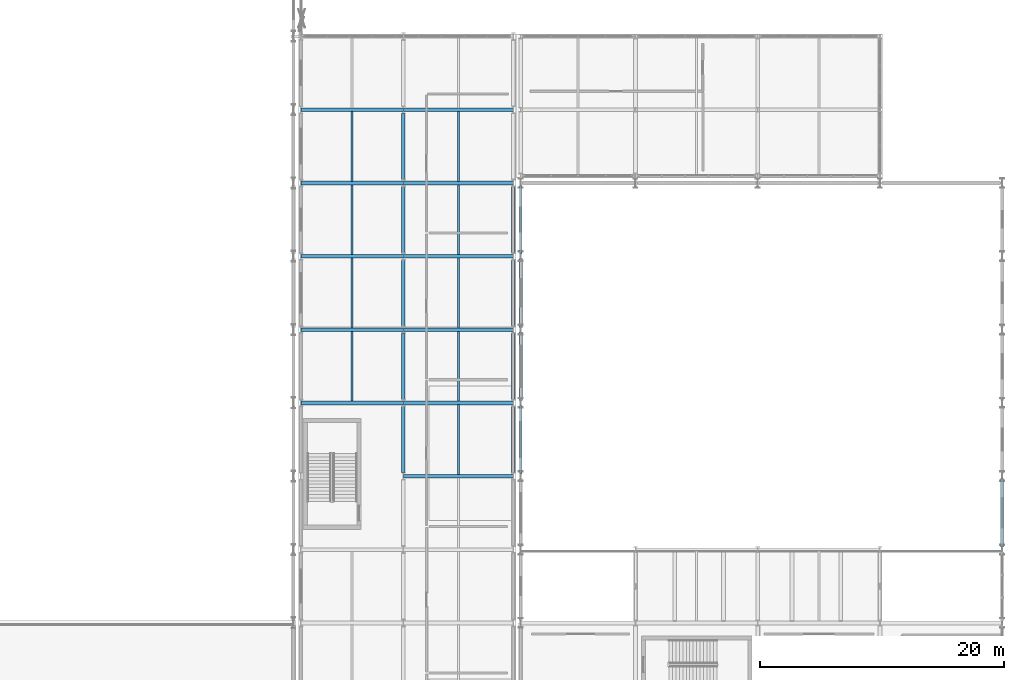
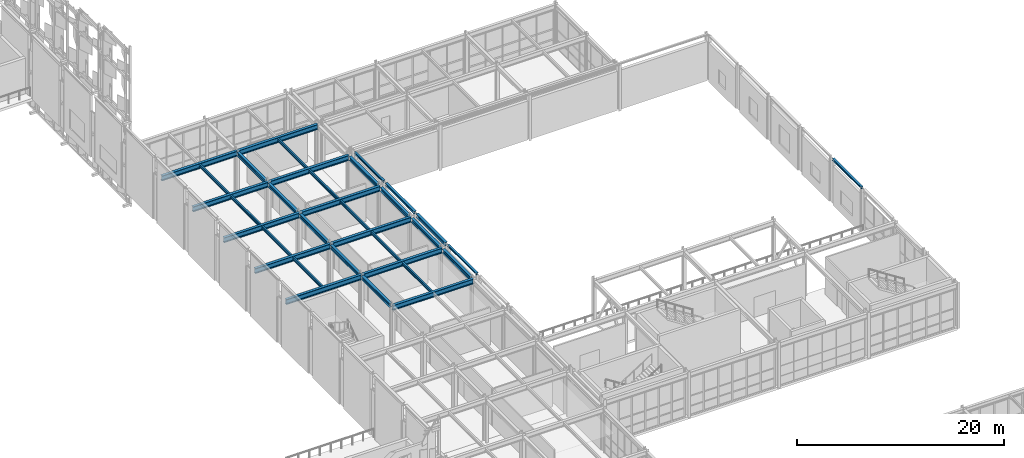
# One storey, part 118 of 210: 34 beams.
"""IFC4 building model written with IfcOpenShell, lengths in metres."""

from ifc_helpers import new_model, si_unit, direction, frame, origin, origin_2d, place, context, subcontext, project, spatial, i_section, extrude, material, material_profile, profile_set, type_object, element, save


model = new_model("IFC4")

# Units and contexts
model_context = context("Model", 3, precision=1e-05, world=origin(), true_north=direction((0.0, 1.0)))
body_context = subcontext(model_context, "Body", "Model", "MODEL_VIEW")
ifc_project = project(units=[si_unit("LENGTHUNIT", "METRE"), si_unit("AREAUNIT", "SQUARE_METRE"), si_unit("VOLUMEUNIT", "CUBIC_METRE"), si_unit("PLANEANGLEUNIT", "RADIAN"), si_unit("MASSUNIT", "GRAM", prefix="KILO")], contexts=[model_context])

# Site, building, storey
site_placement = place(None, origin())
site = spatial("IfcSite", under=ifc_project, at=site_placement, CompositionType="ELEMENT")
building_placement = place(site_placement, origin())
building = spatial("IfcBuilding", under=site, at=building_placement, Name="Kaldris Quays Convention Centre", CompositionType="ELEMENT")
storey_placement = place(building_placement, frame((0.0, 0.0, 6.0)))
storey = spatial("IfcBuildingStorey", under=building, at=storey_placement, Name="L01", CompositionType="ELEMENT", Elevation=6.0)

# Beams
ifc_material = material(Name="Steel S355J2", Category="steel")
ifc_material_profile_1 = material_profile(ifc_material, i_section(OverallWidth=0.300048828125, OverallDepth=0.60009765625, WebThickness=0.015380859375, FlangeThickness=0.030029296875, FilletRadius=0.027099609375, at=origin_2d()), Name="HEB 600")
ifc_profile_set_1 = profile_set([ifc_material_profile_1], Name="Steel S355J2")
beam_type_1 = type_object("IfcBeamType", Name="STRUCTURAL BEAM BM05", PredefinedType="BEAM", material=ifc_profile_set_1)
beam_1_placement = place(storey_placement, frame((155.001708984375, 80.0, 4.843017578125), z_axis=(1.0, 0.0, 0.0), x_axis=(0.0, 1.0, 0.0)))
element("IfcBeam", 1, at=beam_1_placement, inside=storey, type_object=beam_type_1, Name="L01 Girder BM05 34", PredefinedType="BEAM", context=body_context, shape_type="SweptSolid", body=[
    extrude(i_section(OverallWidth=0.300048828125, OverallDepth=0.60009765625, WebThickness=0.015380859375, FlangeThickness=0.030029296875, FilletRadius=0.027099609375, at=origin_2d()), origin(), (0.0, 0.0, 1.0), 8.99658203125),
])
beam_2_placement = place(storey_placement, frame((146.601806640625, 86.0, 4.843017578125), z_axis=(1.0, 0.0, 0.0), x_axis=(0.0, 1.0, 0.0)))
element("IfcBeam", 2, at=beam_2_placement, inside=storey, type_object=beam_type_1, Name="L01 Girder BM05 35", PredefinedType="BEAM", context=body_context, shape_type="SweptSolid", body=[
    extrude(i_section(OverallWidth=0.300048828125, OverallDepth=0.60009765625, WebThickness=0.015380859375, FlangeThickness=0.030029296875, FilletRadius=0.027099609375, at=origin_2d()), origin(), (0.0, 0.0, 1.0), 8.396484375),
])
beam_3_placement = place(storey_placement, frame((155.001708984375, 86.0, 4.843017578125), z_axis=(1.0, 0.0, 0.0), x_axis=(0.0, 1.0, 0.0)))
element("IfcBeam", 3, at=beam_3_placement, inside=storey, type_object=beam_type_1, Name="L01 Girder BM05 36", PredefinedType="BEAM", context=body_context, shape_type="SweptSolid", body=[
    extrude(i_section(OverallWidth=0.300048828125, OverallDepth=0.60009765625, WebThickness=0.015380859375, FlangeThickness=0.030029296875, FilletRadius=0.027099609375, at=origin_2d()), origin(), (0.0, 0.0, 1.0), 8.99658203125),
])
beam_4_placement = place(storey_placement, frame((146.601806640625, 92.0, 4.843017578125), z_axis=(1.0, 0.0, 0.0), x_axis=(0.0, 1.0, 0.0)))
element("IfcBeam", 4, at=beam_4_placement, inside=storey, type_object=beam_type_1, Name="L01 Girder BM05 37", PredefinedType="BEAM", context=body_context, shape_type="SweptSolid", body=[
    extrude(i_section(OverallWidth=0.300048828125, OverallDepth=0.60009765625, WebThickness=0.015380859375, FlangeThickness=0.030029296875, FilletRadius=0.027099609375, at=origin_2d()), origin(), (0.0, 0.0, 1.0), 8.396484375),
])
beam_5_placement = place(storey_placement, frame((155.001708984375, 92.0, 4.843017578125), z_axis=(1.0, 0.0, 0.0), x_axis=(0.0, 1.0, 0.0)))
element("IfcBeam", 5, at=beam_5_placement, inside=storey, type_object=beam_type_1, Name="L01 Girder BM05 38", PredefinedType="BEAM", context=body_context, shape_type="SweptSolid", body=[
    extrude(i_section(OverallWidth=0.300048828125, OverallDepth=0.60009765625, WebThickness=0.015380859375, FlangeThickness=0.030029296875, FilletRadius=0.027099609375, at=origin_2d()), origin(), (0.0, 0.0, 1.0), 8.99658203125),
])
beam_6_placement = place(storey_placement, frame((146.601806640625, 98.0, 4.843017578125), z_axis=(1.0, 0.0, 0.0), x_axis=(0.0, 1.0, 0.0)))
element("IfcBeam", 6, at=beam_6_placement, inside=storey, type_object=beam_type_1, Name="L01 Girder BM05 39", PredefinedType="BEAM", context=body_context, shape_type="SweptSolid", body=[
    extrude(i_section(OverallWidth=0.300048828125, OverallDepth=0.60009765625, WebThickness=0.015380859375, FlangeThickness=0.030029296875, FilletRadius=0.027099609375, at=origin_2d()), origin(), (0.0, 0.0, 1.0), 8.396484375),
])
beam_7_placement = place(storey_placement, frame((155.001708984375, 98.0, 4.843017578125), z_axis=(1.0, 0.0, 0.0), x_axis=(0.0, 1.0, 0.0)))
element("IfcBeam", 7, at=beam_7_placement, inside=storey, type_object=beam_type_1, Name="L01 Girder BM05 40", PredefinedType="BEAM", context=body_context, shape_type="SweptSolid", body=[
    extrude(i_section(OverallWidth=0.300048828125, OverallDepth=0.60009765625, WebThickness=0.015380859375, FlangeThickness=0.030029296875, FilletRadius=0.027099609375, at=origin_2d()), origin(), (0.0, 0.0, 1.0), 8.99658203125),
])
beam_8_placement = place(storey_placement, frame((146.601806640625, 104.0, 4.843017578125), z_axis=(1.0, 0.0, 0.0), x_axis=(0.0, 1.0, 0.0)))
element("IfcBeam", 8, at=beam_8_placement, inside=storey, type_object=beam_type_1, Name="L01 Girder BM05 41", PredefinedType="BEAM", context=body_context, shape_type="SweptSolid", body=[
    extrude(i_section(OverallWidth=0.300048828125, OverallDepth=0.60009765625, WebThickness=0.015380859375, FlangeThickness=0.030029296875, FilletRadius=0.027099609375, at=origin_2d()), origin(), (0.0, 0.0, 1.0), 8.396484375),
])
beam_9_placement = place(storey_placement, frame((155.001708984375, 104.0, 4.843017578125), z_axis=(1.0, 0.0, 0.0), x_axis=(0.0, 1.0, 0.0)))
element("IfcBeam", 9, at=beam_9_placement, inside=storey, type_object=beam_type_1, Name="L01 Girder BM05 42", PredefinedType="BEAM", context=body_context, shape_type="SweptSolid", body=[
    extrude(i_section(OverallWidth=0.300048828125, OverallDepth=0.60009765625, WebThickness=0.015380859375, FlangeThickness=0.030029296875, FilletRadius=0.027099609375, at=origin_2d()), origin(), (0.0, 0.0, 1.0), 8.99658203125),
])
beam_10_placement = place(storey_placement, frame((146.601806640625, 110.0, 4.843017578125), z_axis=(1.0, 0.0, 0.0), x_axis=(0.0, 1.0, 0.0)))
element("IfcBeam", 10, at=beam_10_placement, inside=storey, type_object=beam_type_1, Name="L01 Girder BM05 46", PredefinedType="BEAM", context=body_context, shape_type="SweptSolid", body=[
    extrude(i_section(OverallWidth=0.300048828125, OverallDepth=0.60009765625, WebThickness=0.015380859375, FlangeThickness=0.030029296875, FilletRadius=0.027099609375, at=origin_2d()), origin(), (0.0, 0.0, 1.0), 8.396484375),
])
beam_11_placement = place(storey_placement, frame((155.001708984375, 110.0, 4.843017578125), z_axis=(1.0, 0.0, 0.0), x_axis=(0.0, 1.0, 0.0)))
element("IfcBeam", 11, at=beam_11_placement, inside=storey, type_object=beam_type_1, Name="L01 Girder BM05 47", PredefinedType="BEAM", context=body_context, shape_type="SweptSolid", body=[
    extrude(i_section(OverallWidth=0.300048828125, OverallDepth=0.60009765625, WebThickness=0.015380859375, FlangeThickness=0.030029296875, FilletRadius=0.027099609375, at=origin_2d()), origin(), (0.0, 0.0, 1.0), 8.99658203125),
])
ifc_material_profile_2 = material_profile(ifc_material, i_section(OverallWidth=0.300048828125, OverallDepth=0.449951171875, WebThickness=0.013916015625, FlangeThickness=0.02587890625, FilletRadius=0.027099609375, at=origin_2d()), Name="HEB 450")
ifc_profile_set_2 = profile_set([ifc_material_profile_2], Name="Steel S355J2")
beam_type_2 = type_object("IfcBeamType", Name="STRUCTURAL BEAM BM07", PredefinedType="BEAM", material=ifc_profile_set_2)
for number, where, z_axis, x_axis, name in (
    (12, (155.0, 80.2939453125, 4.91796875), (0.0, 1.0, 0.0), (-1.0, 0.0, 0.0), "L01 Girder BM07 84"),
    (13, (155.0, 86.2939453125, 4.91796875), (0.0, 1.0, 0.0), (-1.0, 0.0, 0.0), "L01 Girder BM07 85"),
    (14, (155.0, 92.2939453125, 4.91796875), (0.0, 1.0, 0.0), (-1.0, 0.0, 0.0), "L01 Girder BM07 86"),
    (15, (155.0, 98.2939453125, 4.91796875), (0.0, 1.0, 0.0), (-1.0, 0.0, 0.0), "L01 Girder BM07 87"),
    (16, (155.0, 104.2939453125, 4.91796875), (0.0, 1.0, 0.0), (-1.0, 0.0, 0.0), "L01 Girder BM07 88"),
    (17, (164.0, 80.2939453125, 4.91796875), (0.0, 1.0, 0.0), (-1.0, 0.0, 0.0), "L01 Girder BM07 96"),
    (18, (164.0, 86.2939453125, 4.91796875), (0.0, 1.0, 0.0), (-1.0, 0.0, 0.0), "L01 Girder BM07 97"),
    (19, (164.0, 92.2939453125, 4.91796875), (0.0, 1.0, 0.0), (-1.0, 0.0, 0.0), "L01 Girder BM07 98"),
    (20, (164.0, 98.2939453125, 4.91796875), (0.0, 1.0, 0.0), (-1.0, 0.0, 0.0), "L01 Girder BM07 99"),
):
    element("IfcBeam", number, at=place(storey_placement, frame(where, z_axis=z_axis, x_axis=x_axis)), inside=storey, type_object=beam_type_2, Name=name, PredefinedType="BEAM", context=body_context, shape_type="SweptSolid", body=[
        extrude(i_section(OverallWidth=0.300048828125, OverallDepth=0.449951171875, WebThickness=0.013916015625, FlangeThickness=0.02587890625, FilletRadius=0.027099609375, at=origin_2d()), origin(), (0.0, 0.0, 1.0), 5.412109375),
    ])
ifc_material_profile_3 = material_profile(ifc_material, i_section(OverallWidth=0.169921875, OverallDepth=0.360107421875, WebThickness=0.008056640625, FlangeThickness=0.0126953125, FilletRadius=0.01806640625, at=origin_2d()), Name="IPE 360")
ifc_profile_set_3 = profile_set([ifc_material_profile_3], Name="Steel S355J2")
beam_type_3 = type_object("IfcBeamType", Name="STRUCTURAL BEAM JT03", PredefinedType="JOIST", material=ifc_profile_set_3)
for number, where, z_axis, x_axis, name in (
    (21, (159.5, 80.14404296875, 4.962890625), (0.0, 1.0, 0.0), (-1.0, 0.0, 0.0), "L01 Secondary Joist JT03 19"),
    (22, (150.800048828125, 86.14404296875, 4.962890625), (0.0, 1.0, 0.0), (-1.0, 0.0, 0.0), "L01 Secondary Joist JT03 20"),
    (23, (159.5, 86.14404296875, 4.962890625), (0.0, 1.0, 0.0), (-1.0, 0.0, 0.0), "L01 Secondary Joist JT03 21"),
    (24, (150.800048828125, 92.14404296875, 4.962890625), (0.0, 1.0, 0.0), (-1.0, 0.0, 0.0), "L01 Secondary Joist JT03 22"),
    (25, (159.5, 92.14404296875, 4.962890625), (0.0, 1.0, 0.0), (-1.0, 0.0, 0.0), "L01 Secondary Joist JT03 23"),
    (26, (150.800048828125, 98.14404296875, 4.962890625), (0.0, 1.0, 0.0), (-1.0, 0.0, 0.0), "L01 Secondary Joist JT03 24"),
    (27, (159.5, 98.14404296875, 4.962890625), (0.0, 1.0, 0.0), (-1.0, 0.0, 0.0), "L01 Secondary Joist JT03 25"),
    (28, (150.800048828125, 104.14404296875, 4.962890625), (0.0, 1.0, 0.0), (-1.0, 0.0, 0.0), "L01 Secondary Joist JT03 26"),
    (29, (159.5, 104.14404296875, 4.962890625), (0.0, 1.0, 0.0), (-1.0, 0.0, 0.0), "L01 Secondary Joist JT03 27"),
):
    element("IfcBeam", number, at=place(storey_placement, frame(where, z_axis=z_axis, x_axis=x_axis)), inside=storey, type_object=beam_type_3, Name=name, PredefinedType="JOIST", context=body_context, shape_type="SweptSolid", body=[
        extrude(i_section(OverallWidth=0.169921875, OverallDepth=0.360107421875, WebThickness=0.008056640625, FlangeThickness=0.0126953125, FilletRadius=0.01806640625, at=origin_2d()), origin(), (0.0, 0.0, 1.0), 5.7119140625),
    ])
ifc_material_profile_4 = material_profile(ifc_material, i_section(OverallWidth=0.300048828125, OverallDepth=0.389892578125, WebThickness=0.010986328125, FlangeThickness=0.01904296875, FilletRadius=0.027099609375, at=origin_2d()), Name="HEA 400")
ifc_profile_set_4 = profile_set([ifc_material_profile_4], Name="Steel S355J2")
beam_type_4 = type_object("IfcBeamType", Name="STRUCTURAL BEAM SP01", PredefinedType="SPANDREL", material=ifc_profile_set_4)
beam_12_placement = place(storey_placement, frame((164.60009765625, 86.195068359375, 5.205078125), z_axis=(0.0, 1.0, 0.0), x_axis=(-1.0, 0.0, 0.0)))
element("IfcBeam", 30, at=beam_12_placement, inside=storey, type_object=beam_type_4, Name="L01 Perimeter Wall-Bearing Spandrel SP01 49", PredefinedType="SPANDREL", context=body_context, shape_type="SweptSolid", body=[
    extrude(i_section(OverallWidth=0.300048828125, OverallDepth=0.389892578125, WebThickness=0.010986328125, FlangeThickness=0.01904296875, FilletRadius=0.027099609375, at=origin_2d()), origin(), (0.0, 0.0, 1.0), 5.60986328125),
])
ifc_material_profile_5 = material_profile(ifc_material, i_section(OverallWidth=0.280029296875, OverallDepth=0.27001953125, WebThickness=0.008056640625, FlangeThickness=0.012939453125, FilletRadius=0.02392578125, at=origin_2d()), Name="HEA 280")
ifc_profile_set_5 = profile_set([ifc_material_profile_5], Name="Steel S355J2")
beam_type_5 = type_object("IfcBeamType", Name="STRUCTURAL BEAM SP03", PredefinedType="SPANDREL", material=ifc_profile_set_5)
beam_13_placement = place(storey_placement, frame((164.60009765625, 92.195068359375, 5.264892578125), z_axis=(0.0, 1.0, 0.0), x_axis=(-1.0, 0.0, 0.0)))
element("IfcBeam", 31, at=beam_13_placement, inside=storey, type_object=beam_type_5, Name="L01 Perimeter Wall-Bearing Spandrel SP03 51", PredefinedType="SPANDREL", context=body_context, shape_type="SweptSolid", body=[
    extrude(i_section(OverallWidth=0.280029296875, OverallDepth=0.27001953125, WebThickness=0.008056640625, FlangeThickness=0.012939453125, FilletRadius=0.02392578125, at=origin_2d()), origin(), (0.0, 0.0, 1.0), 5.60986328125),
])
ifc_material_profile_6 = material_profile(ifc_material, i_section(OverallWidth=0.239990234375, OverallDepth=0.22998046875, WebThickness=0.007568359375, FlangeThickness=0.011962890625, FilletRadius=0.02099609375, at=origin_2d()), Name="HEA 240")
ifc_profile_set_6 = profile_set([ifc_material_profile_6], Name="Steel S355J2")
beam_type_6 = type_object("IfcBeamType", Name="STRUCTURAL BEAM SP04", PredefinedType="SPANDREL", material=ifc_profile_set_6)
beam_14_placement = place(storey_placement, frame((204.0, 74.195068359375, 5.284912109375), z_axis=(0.0, 1.0, 0.0), x_axis=(-1.0, 0.0, 0.0)))
element("IfcBeam", 32, at=beam_14_placement, inside=storey, type_object=beam_type_6, Name="L01 Perimeter Wall-Bearing Spandrel SP04 46", PredefinedType="SPANDREL", context=body_context, shape_type="SweptSolid", body=[
    extrude(i_section(OverallWidth=0.239990234375, OverallDepth=0.22998046875, WebThickness=0.007568359375, FlangeThickness=0.011962890625, FilletRadius=0.02099609375, at=origin_2d()), origin(), (0.0, 0.0, 1.0), 5.60986328125),
])
ifc_material_profile_7 = material_profile(ifc_material, i_section(OverallWidth=0.219970703125, OverallDepth=0.219970703125, WebThickness=0.009521484375, FlangeThickness=0.01611328125, FilletRadius=0.01806640625, at=origin_2d()), Name="HEB 220")
ifc_profile_set_7 = profile_set([ifc_material_profile_7], Name="Steel S355J2")
beam_type_7 = type_object("IfcBeamType", Name="STRUCTURAL BEAM SP05", PredefinedType="SPANDREL", material=ifc_profile_set_7)
for number, where, z_axis, x_axis, name in (
    (33, (164.60009765625, 80.195068359375, 5.2900390625), (0.0, 1.0, 0.0), (-1.0, 0.0, 0.0), "L01 Perimeter Wall-Bearing Spandrel SP05 47"),
    (34, (164.60009765625, 98.195068359375, 5.2900390625), (0.0, 1.0, 0.0), (-1.0, 0.0, 0.0), "L01 Perimeter Wall-Bearing Spandrel SP05 53"),
):
    element("IfcBeam", number, at=place(storey_placement, frame(where, z_axis=z_axis, x_axis=x_axis)), inside=storey, type_object=beam_type_7, Name=name, PredefinedType="SPANDREL", context=body_context, shape_type="SweptSolid", body=[
        extrude(i_section(OverallWidth=0.219970703125, OverallDepth=0.219970703125, WebThickness=0.009521484375, FlangeThickness=0.01611328125, FilletRadius=0.01806640625, at=origin_2d()), origin(), (0.0, 0.0, 1.0), 5.60986328125),
    ])

save(model, "model.ifc")
